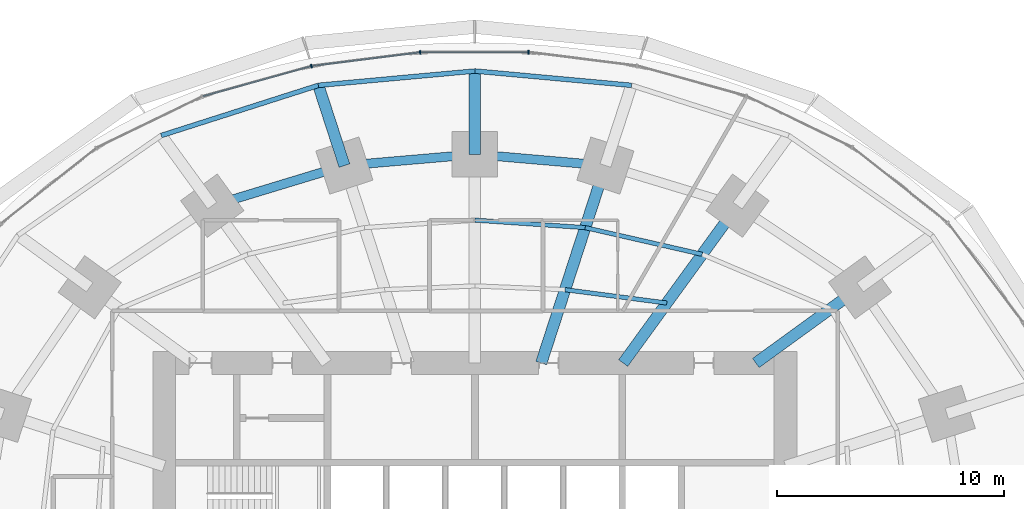
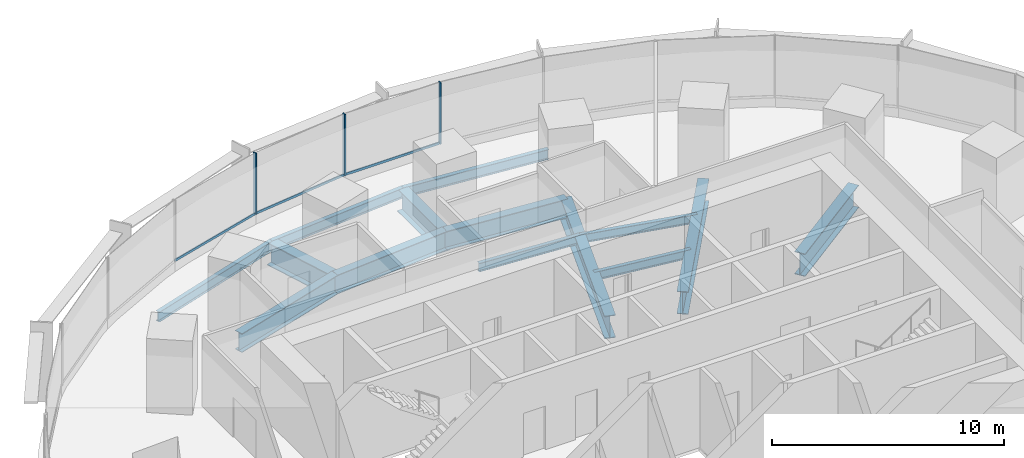
# One storey, part 8 of 15: 14 beams, 6 members, 1 element without a shape of its own.
"""IFC4 building model written with IfcOpenShell, lengths in metres."""

from ifc_helpers import new_model, si_unit, direction, frame, origin, origin_2d, place, context, subcontext, project, spatial, rectangle, i_section, extrude, material, material_profile, profile_set, type_object, element, aggregate, save


model = new_model("IFC4")

# Units and contexts
model_context = context("Model", 3, precision=1e-05, world=origin(), true_north=direction((0.0, 1.0)))
body_context = subcontext(model_context, "Body", "Model", "MODEL_VIEW")
ifc_project = project(units=[si_unit("LENGTHUNIT", "METRE"), si_unit("AREAUNIT", "SQUARE_METRE"), si_unit("VOLUMEUNIT", "CUBIC_METRE"), si_unit("PLANEANGLEUNIT", "RADIAN"), si_unit("MASSUNIT", "GRAM", prefix="KILO")], contexts=[model_context])

# Site, building, storey
site_placement = place(None, origin())
site = spatial("IfcSite", under=ifc_project, at=site_placement, CompositionType="ELEMENT")
building_placement = place(site_placement, origin())
building = spatial("IfcBuilding", under=site, at=building_placement, Name="Marramba Exchange Tower", CompositionType="ELEMENT")
storey_placement = place(building_placement, frame((0.0, 0.0, 49.0)))
storey = spatial("IfcBuildingStorey", under=building, at=storey_placement, Name="L11", CompositionType="ELEMENT", Elevation=49.0)

# Beams
ifc_material_1 = material(Name="Steel AS/NZS 3679.2 grade 300", Category="steel")
ifc_material_profile_1 = material_profile(ifc_material_1, i_section(OverallWidth=0.5, OverallDepth=1.199951171875, WebThickness=0.01611328125, FlangeThickness=0.0400390625, at=origin_2d()), Name="1200WB455")
ifc_profile_set_1 = profile_set([ifc_material_profile_1], Name="Steel AS/NZS 3679.2 grade 300")
beam_type_1 = type_object("IfcBeamType", Name="Cantilever girder 1200WB455", PredefinedType="BEAM", material=ifc_profile_set_1)
beam_1_placement = place(storey_placement, frame((0.0, 18.2041015625, -0.760009765625), z_axis=(0.0, 1.0, 0.0), x_axis=(-1.0, 0.0, 0.0)))
element("IfcBeam", 1, at=beam_1_placement, inside=storey, type_object=beam_type_1, Name="Cantilever girder L11 TC06", PredefinedType="BEAM", context=body_context, shape_type="SweptSolid", body=[
    extrude(i_section(OverallWidth=0.5, OverallDepth=1.199951171875, WebThickness=0.01611328125, FlangeThickness=0.0400390625, at=origin_2d()), origin(), (0.0, 0.0, 1.0), 3.673828125),
])
beam_2_placement = place(storey_placement, frame((-5.75390625, 17.70849609375, -0.760009765625), z_axis=(-0.308973290646, 0.951070715387, 0.0), x_axis=(-0.951070715387, -0.308973290646, 0.0)))
element("IfcBeam", 2, at=beam_2_placement, inside=storey, type_object=beam_type_1, Name="Cantilever girder L11 TC07", PredefinedType="BEAM", context=body_context, shape_type="SweptSolid", body=[
    extrude(i_section(OverallWidth=0.5, OverallDepth=1.199951171875, WebThickness=0.01611328125, FlangeThickness=0.0400390625, at=origin_2d()), origin(), (0.0, 0.0, 1.0), 3.72021484375),
])
ifc_material_2 = material(Name="Steel AS/NZS 3679.1 grade 300", Category="steel")
ifc_material_profile_2 = material_profile(ifc_material_2, i_section(OverallWidth=0.18994140625, OverallDepth=0.4541015625, WebThickness=0.008544921875, FlangeThickness=0.0126953125, FilletRadius=0.011474609375, at=origin_2d()), Name="460UB67.1")
ifc_profile_set_2 = profile_set([ifc_material_profile_2], Name="Steel AS/NZS 3679.1 grade 300")
beam_type_2 = type_object("IfcBeamType", Name="Floor joist 460UB67.1", PredefinedType="JOIST", material=ifc_profile_set_2)
beam_3_placement = place(storey_placement, frame((8.4619140625, 11.646728515625, -0.386962890625), z_axis=(-0.991480538255, 0.130254912618, 0.0), x_axis=(-0.130254912618, -0.991480538255, 0.0)))
element("IfcBeam", 3, at=beam_3_placement, inside=storey, type_object=beam_type_2, Name="Joist L11 bay 04 row 1", PredefinedType="JOIST", context=body_context, shape_type="SweptSolid", body=[
    extrude(i_section(OverallWidth=0.18994140625, OverallDepth=0.4541015625, WebThickness=0.008544921875, FlangeThickness=0.0126953125, FilletRadius=0.011474609375, at=origin_2d()), origin(), (0.0, 0.0, 1.0), 4.524658203125),
])
beam_4_placement = place(storey_placement, frame((10.021728515625, 13.793701171875, -0.386962890625), z_axis=(-0.974859652292, 0.222819788916, 0.0), x_axis=(-0.222819788916, -0.974859652292, 0.0)))
element("IfcBeam", 4, at=beam_4_placement, inside=storey, type_object=beam_type_2, Name="Joist L11 bay 04 row 2", PredefinedType="JOIST", context=body_context, shape_type="SweptSolid", body=[
    extrude(i_section(OverallWidth=0.18994140625, OverallDepth=0.4541015625, WebThickness=0.008544921875, FlangeThickness=0.0126953125, FilletRadius=0.011474609375, at=origin_2d()), origin(), (0.0, 0.0, 1.0), 5.2900390625),
])
beam_5_placement = place(storey_placement, frame((4.86474609375, 14.972412109375, -0.386962890625), z_axis=(-0.997702652202, 0.067745241816, 0.0), x_axis=(-0.067745241816, -0.997702652202, 0.0)))
element("IfcBeam", 5, at=beam_5_placement, inside=storey, type_object=beam_type_2, Name="Joist L11 bay 05 row 2", PredefinedType="JOIST", context=body_context, shape_type="SweptSolid", body=[
    extrude(i_section(OverallWidth=0.18994140625, OverallDepth=0.4541015625, WebThickness=0.008544921875, FlangeThickness=0.0126953125, FilletRadius=0.011474609375, at=origin_2d()), origin(), (0.0, 0.0, 1.0), 4.8759765625),
])
ifc_material_profile_3 = material_profile(ifc_material_1, i_section(OverallWidth=0.5, OverallDepth=1.199951171875, WebThickness=0.01611328125, FlangeThickness=0.0400390625, at=origin_2d()), Name="1200WB455")
ifc_profile_set_3 = profile_set([ifc_material_profile_3], Name="Steel AS/NZS 3679.2 grade 300")
beam_type_3 = type_object("IfcBeamType", Name="Radial girder 1200WB455", PredefinedType="BEAM", material=ifc_profile_set_3)
beam_6_placement = place(storey_placement, frame((12.387451171875, 9.0, -0.760009765625), z_axis=(0.809025746925, 0.587773205252, 0.0), x_axis=(-0.587773205252, 0.809025746925, 0.0)))
element("IfcBeam", 6, at=beam_6_placement, inside=storey, type_object=beam_type_3, Name="Radial girder L11 TC03", PredefinedType="BEAM", context=body_context, shape_type="SweptSolid", body=[
    extrude(i_section(OverallWidth=0.5, OverallDepth=1.199951171875, WebThickness=0.01611328125, FlangeThickness=0.0400390625, at=origin_2d()), origin(), (0.0, 0.0, 1.0), 5.683837890625),
])
beam_7_placement = place(storey_placement, frame((6.538818359375, 9.0, -0.760009765625), z_axis=(0.587782439969, 0.80901903764, 0.0), x_axis=(-0.80901903764, 0.587782439969, 0.0)))
element("IfcBeam", 7, at=beam_7_placement, inside=storey, type_object=beam_type_3, Name="Radial girder L11 TC04", PredefinedType="BEAM", context=body_context, shape_type="SweptSolid", body=[
    extrude(i_section(OverallWidth=0.5, OverallDepth=1.199951171875, WebThickness=0.01611328125, FlangeThickness=0.0400390625, at=origin_2d()), origin(), (0.0, 0.0, 1.0), 8.578857421875),
])
beam_8_placement = place(storey_placement, frame((2.92431640625, 9.0, -0.760009765625), z_axis=(0.309019754162, 0.951055619582, 0.0), x_axis=(-0.951055619582, 0.309019754162, 0.0)))
element("IfcBeam", 8, at=beam_8_placement, inside=storey, type_object=beam_type_3, Name="Radial girder L11 TC05", PredefinedType="BEAM", context=body_context, shape_type="SweptSolid", body=[
    extrude(i_section(OverallWidth=0.5, OverallDepth=1.199951171875, WebThickness=0.01611328125, FlangeThickness=0.0400390625, at=origin_2d()), origin(), (0.0, 0.0, 1.0), 9.15673828125),
])
ifc_material_profile_4 = material_profile(ifc_material_1, i_section(OverallWidth=0.39990234375, OverallDepth=1.0, WebThickness=0.01611328125, FlangeThickness=0.031982421875, at=origin_2d()), Name="1000WB322")
ifc_profile_set_4 = profile_set([ifc_material_profile_4], Name="Steel AS/NZS 3679.2 grade 300")
beam_type_4 = type_object("IfcBeamType", Name="Ring beam 1000WB322", PredefinedType="SPANDREL", material=ifc_profile_set_4)
for number, where, z_axis, x_axis, name in (
    (9, (5.75390625, 17.70849609375, -0.659912109375), (-0.996311003275, 0.085815993578, 0.0), (-0.085815993578, -0.996311003275, 0.0), "Ring beam L11 TC05-TC06"),
    (10, (0.0, 18.2041015625, -0.659912109375), (-0.996311003275, -0.085815993578, 0.0), (0.085815993578, -0.996311003275, 0.0), "Ring beam L11 TC06-TC07"),
):
    element("IfcBeam", number, at=place(storey_placement, frame(where, z_axis=z_axis, x_axis=x_axis)), inside=storey, type_object=beam_type_4, Name=name, PredefinedType="SPANDREL", context=body_context, shape_type="SweptSolid", body=[
        extrude(i_section(OverallWidth=0.39990234375, OverallDepth=1.0, WebThickness=0.01611328125, FlangeThickness=0.031982421875, at=origin_2d()), origin(), (0.0, 0.0, 1.0), 5.775146484375),
    ])
beam_9_placement = place(storey_placement, frame((-5.75390625, 17.70849609375, -0.659912109375), z_axis=(-0.956924542524, -0.290336735387, 0.0), x_axis=(0.290336735387, -0.956924542524, 0.0)))
element("IfcBeam", 11, at=beam_9_placement, inside=storey, type_object=beam_type_4, Name="Ring beam L11 TC07-TC08", PredefinedType="SPANDREL", context=body_context, shape_type="SweptSolid", body=[
    extrude(i_section(OverallWidth=0.39990234375, OverallDepth=1.0, WebThickness=0.01611328125, FlangeThickness=0.031982421875, at=origin_2d()), origin(), (0.0, 0.0, 1.0), 6.089599609375),
])
ifc_material_profile_5 = material_profile(ifc_material_2, i_section(OverallWidth=0.208984375, OverallDepth=0.528076171875, WebThickness=0.009521484375, FlangeThickness=0.01318359375, FilletRadius=0.013916015625, at=origin_2d()), Name="530UB82.0")
ifc_profile_set_5 = profile_set([ifc_material_profile_5], Name="Steel AS/NZS 3679.1 grade 300")
beam_type_5 = type_object("IfcBeamType", Name="Slab edge beam 530UB82.0", PredefinedType="SPANDREL", material=ifc_profile_set_5)
for number, where, z_axis, x_axis, name in (
    (12, (6.9033203125, 21.24658203125, -0.424072265625), (-0.995843984921, 0.091075560369, 0.0), (-0.091075560369, -0.995843984921, 0.0), "Slab edge beam L11 TC05-TC06"),
    (13, (0.0, 21.8779296875, -0.424072265625), (-0.995843984921, -0.091075560369, 0.0), (0.091075560369, -0.995843984921, 0.0), "Slab edge beam L11 TC06-TC07"),
):
    element("IfcBeam", number, at=place(storey_placement, frame(where, z_axis=z_axis, x_axis=x_axis)), inside=storey, type_object=beam_type_5, Name=name, PredefinedType="SPANDREL", context=body_context, shape_type="SweptSolid", body=[
        extrude(i_section(OverallWidth=0.208984375, OverallDepth=0.528076171875, WebThickness=0.009521484375, FlangeThickness=0.01318359375, FilletRadius=0.013916015625, at=origin_2d()), origin(), (0.0, 0.0, 1.0), 6.93212890625),
    ])
beam_10_placement = place(storey_placement, frame((-6.9033203125, 21.24658203125, -0.424072265625), z_axis=(-0.952577642997, -0.304295635957, 0.0), x_axis=(0.304295635957, -0.952577642997, 0.0)))
element("IfcBeam", 14, at=beam_10_placement, inside=storey, type_object=beam_type_5, Name="Slab edge beam L11 TC07-TC08", PredefinedType="SPANDREL", context=body_context, shape_type="SweptSolid", body=[
    extrude(i_section(OverallWidth=0.208984375, OverallDepth=0.528076171875, WebThickness=0.009521484375, FlangeThickness=0.01318359375, FilletRadius=0.013916015625, at=origin_2d()), origin(), (0.0, 0.0, 1.0), 7.2705078125),
])

# Curtain wall, members
ifc_material_3 = material(Name="Aluminium framing, bronze anodised", Category="aluminium")
curtain_wall_type = type_object("IfcCurtainWallType", Name="Trading floor ribbon curtain wall", PredefinedType="USERDEFINED", material=ifc_material_3)
curtain_wall_placement = place(storey_placement, origin())
curtain_wall = element("IfcCurtainWall", 15, at=curtain_wall_placement, inside=storey, type_object=curtain_wall_type, Name="Curtain wall CW3 L11 F06-F10", ObjectType="RIBBON CURTAIN WALL", PredefinedType="USERDEFINED")
ifc_material_4 = material(Name="Aluminium mullion, bronze anodised", Category="aluminium")
ifc_material_profile_6 = material_profile(ifc_material_4, rectangle(XDim=0.159912109375, YDim=0.06005859375, at=origin_2d()), Name="CW3 mullion 60x160")
ifc_profile_set_6 = profile_set([ifc_material_profile_6], Name="Aluminium mullion, bronze anodised")
member_type_1 = type_object("IfcMemberType", Name="Trading floor ribbon curtain wall mullion", PredefinedType="MULLION", material=ifc_profile_set_6)
member_1_placement = place(storey_placement, frame((2.3564453125, 22.7060546875, 0.800048828125), z_axis=(0.0, 0.0, 1.0), x_axis=(0.0, -1.0, 0.0)))
member_1 = element("IfcMember", 16, at=member_1_placement, type_object=member_type_1, Name="CW3 mullion 1", PredefinedType="MULLION", context=body_context, shape_type="SweptSolid", body=[
    extrude(rectangle(XDim=0.159912109375, YDim=0.06005859375, at=origin_2d()), origin(), (0.0, 0.0, 1.0), 3.239990234375),
])
member_2_placement = place(storey_placement, frame((-2.416259765625, 22.7021484375, 0.800048828125), z_axis=(0.0, 0.0, 1.0), x_axis=(0.124872723099, -0.992172768738, 0.0)))
member_2 = element("IfcMember", 17, at=member_2_placement, type_object=member_type_1, Name="CW3 mullion 1", PredefinedType="MULLION", context=body_context, shape_type="SweptSolid", body=[
    extrude(rectangle(XDim=0.159912109375, YDim=0.06005859375, at=origin_2d()), origin(), (0.0, 0.0, 1.0), 3.239990234375),
])
member_3_placement = place(storey_placement, frame((-7.21044921875, 22.094482421875, 0.800048828125), z_axis=(0.0, 0.0, 1.0), x_axis=(0.267808735815, -0.963472096649, 0.0)))
member_3 = element("IfcMember", 18, at=member_3_placement, type_object=member_type_1, Name="CW3 mullion 1", PredefinedType="MULLION", context=body_context, shape_type="SweptSolid", body=[
    extrude(rectangle(XDim=0.159912109375, YDim=0.06005859375, at=origin_2d()), origin(), (0.0, 0.0, 1.0), 3.239990234375),
])
ifc_material_5 = material(Name="Aluminium transom, bronze anodised", Category="aluminium")
ifc_material_profile_7 = material_profile(ifc_material_5, rectangle(XDim=0.06005859375, YDim=0.1201171875, at=origin_2d()), Name="CW3 transom 60x120")
ifc_profile_set_7 = profile_set([ifc_material_profile_7], Name="Aluminium transom, bronze anodised")
member_type_2 = type_object("IfcMemberType", Name="Trading floor ribbon curtain wall transom", PredefinedType="USERDEFINED", material=ifc_profile_set_7)
member_4_placement = place(storey_placement, frame((2.326416015625, 22.7060546875, 0.830078125), z_axis=(-1.0, 0.0, 0.0), x_axis=(0.0, -1.0, 0.0)))
member_4 = element("IfcMember", 19, at=member_4_placement, type_object=member_type_2, Name="CW3 sill transom", ObjectType="TRANSOM", PredefinedType="USERDEFINED", context=body_context, shape_type="SweptSolid", body=[
    extrude(rectangle(XDim=0.06005859375, YDim=0.1201171875, at=origin_2d()), origin(), (0.0, 0.0, 1.0), 4.712890625),
])
member_5_placement = place(storey_placement, frame((-2.446044921875, 22.698486328125, 0.830078125), z_axis=(-0.992174445211, -0.124859402009, 0.0), x_axis=(0.124859402009, -0.992174445211, 0.0)))
member_5 = element("IfcMember", 20, at=member_5_placement, type_object=member_type_2, Name="CW3 sill transom", ObjectType="TRANSOM", PredefinedType="USERDEFINED", context=body_context, shape_type="SweptSolid", body=[
    extrude(rectangle(XDim=0.06005859375, YDim=0.1201171875, at=origin_2d()), origin(), (0.0, 0.0, 1.0), 4.77294921875),
])
member_6_placement = place(storey_placement, frame((-7.2392578125, 22.08642578125, 0.830078125), z_axis=(-0.963472490071, -0.267807320431, 0.0), x_axis=(0.267807320431, -0.963472490071, 0.0)))
member_6 = element("IfcMember", 21, at=member_6_placement, type_object=member_type_2, Name="CW3 sill transom", ObjectType="TRANSOM", PredefinedType="USERDEFINED", context=body_context, shape_type="SweptSolid", body=[
    extrude(rectangle(XDim=0.06005859375, YDim=0.1201171875, at=origin_2d()), origin(), (0.0, 0.0, 1.0), 4.93017578125),
])
aggregate(curtain_wall, [member_1, member_4, member_2, member_5, member_3, member_6])

save(model, "model.ifc")
